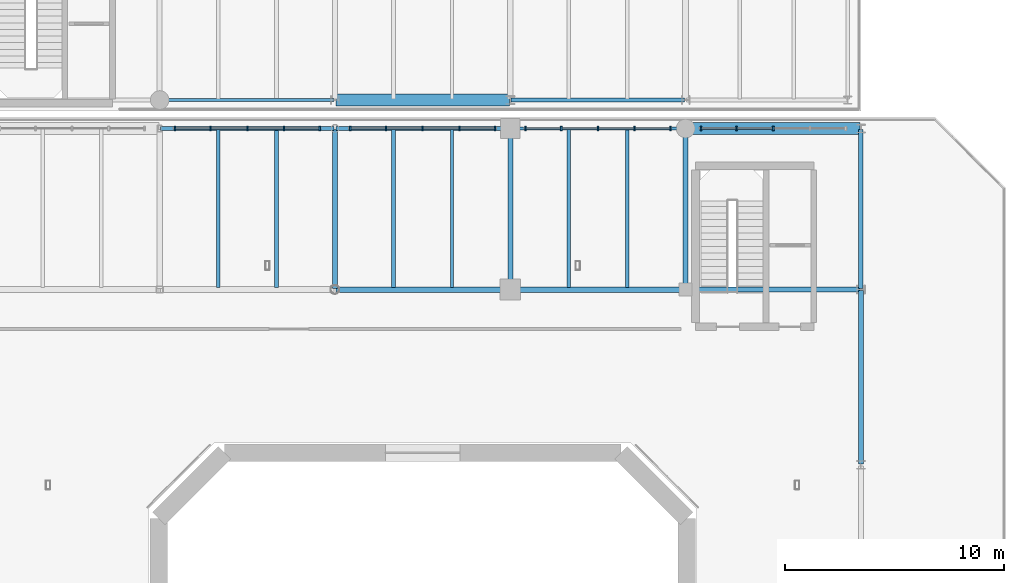
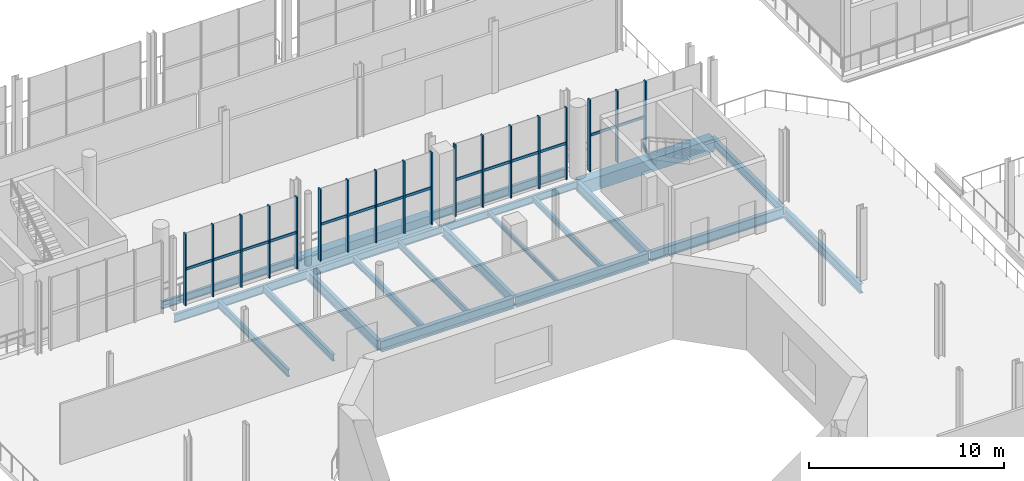
# One storey, part 48 of 93: 32 members, 21 beams, 4 elements without a shape of their own.
"""IFC4 building model written with IfcOpenShell, lengths in metres."""

from ifc_helpers import new_model, si_unit, direction, frame, origin, origin_2d, place, context, subcontext, project, spatial, rectangle, i_section, extrude, material, material_profile, profile_set, type_object, element, aggregate, save


model = new_model("IFC4")

# Units and contexts
model_context = context("Model", 3, precision=1e-05, world=origin(), true_north=direction((0.0, 1.0)))
body_context = subcontext(model_context, "Body", "Model", "MODEL_VIEW")
ifc_project = project(units=[si_unit("LENGTHUNIT", "METRE"), si_unit("AREAUNIT", "SQUARE_METRE"), si_unit("VOLUMEUNIT", "CUBIC_METRE"), si_unit("PLANEANGLEUNIT", "RADIAN"), si_unit("MASSUNIT", "GRAM", prefix="KILO")], contexts=[model_context])

# Site, building, storey
site_placement = place(None, origin())
site = spatial("IfcSite", under=ifc_project, at=site_placement, CompositionType="ELEMENT")
building_placement = place(site_placement, origin())
building = spatial("IfcBuilding", under=site, at=building_placement, Name="Brisemont Oceanarium", CompositionType="ELEMENT")
storey_placement = place(building_placement, frame((0.0, 0.0, 5.39990234375)))
storey = spatial("IfcBuildingStorey", under=building, at=storey_placement, Name="L01", CompositionType="ELEMENT", Elevation=5.39990234375)

# Beams
ifc_material_1 = material(Name="Concrete C40/50", Category="concrete")
ifc_material_profile_1 = material_profile(ifc_material_1, rectangle(XDim=0.550048828125, YDim=0.800048828125, at=origin_2d()), Name="RC-BM-550X800")
ifc_profile_set_1 = profile_set([ifc_material_profile_1], Name="Concrete C40/50")
beam_type_1 = type_object("IfcBeamType", Name="BM-RC550X800", PredefinedType="SPANDREL", material=ifc_profile_set_1)
for number, where, z_axis, x_axis, name in (
    (1, (96.0400390625, 79.35009765625, -0.739990234375), (1.0, 0.0, 0.0), (0.0, 1.0, 0.0), "V1 L01 EW girder"),
    (2, (80.0400390625, 80.64990234375, -0.739990234375), (1.0, 0.0, 0.0), (0.0, 1.0, 0.0), "V7E L01 EW girder"),
):
    element("IfcBeam", number, at=place(storey_placement, frame(where, z_axis=z_axis, x_axis=x_axis)), inside=storey, type_object=beam_type_1, Name=name, PredefinedType="SPANDREL", context=body_context, shape_type="SweptSolid", body=[
        extrude(rectangle(XDim=0.550048828125, YDim=0.800048828125, at=origin_2d()), origin(), (0.0, 0.0, 1.0), 7.919921875),
    ])
ifc_material_2 = material(Name="Structural Steel ASTM A992 Gr.50", Category="steel")
ifc_material_profile_2 = material_profile(ifc_material_2, i_section(OverallWidth=0.14599609375, OverallDepth=0.259033203125, WebThickness=0.006103515625, FlangeThickness=0.009033203125, FilletRadius=0.008056640625, at=origin_2d()), Name="W10X22")
ifc_profile_set_2 = profile_set([ifc_material_profile_2], Name="Structural Steel ASTM A992 Gr.50")
beam_type_2 = type_object("IfcBeamType", Name="BM-W10X22", PredefinedType="LINTEL", material=ifc_profile_set_2)
beam_1_placement = place(storey_placement, frame((90.666748046875, 72.090087890625, -0.469482421875), z_axis=(0.0, 1.0, 0.0), x_axis=(-1.0, 0.0, 0.0)))
element("IfcBeam", 3, at=beam_1_placement, inside=storey, type_object=beam_type_2, Name="V1 L01 secondary floor beam", PredefinedType="LINTEL", context=body_context, shape_type="SweptSolid", body=[
    extrude(i_section(OverallWidth=0.14599609375, OverallDepth=0.259033203125, WebThickness=0.006103515625, FlangeThickness=0.009033203125, FilletRadius=0.008056640625, at=origin_2d()), origin(), (0.0, 0.0, 1.0), 7.219970703125),
])
ifc_material_3 = material(Name="Structural Steel ASTM A992 Gr.50", Category="steel")
ifc_material_profile_3 = material_profile(ifc_material_3, i_section(OverallWidth=0.1708984375, OverallDepth=0.35107421875, WebThickness=0.0068359375, FlangeThickness=0.009765625, FilletRadius=0.010009765625, at=origin_2d()), Name="W14X30")
ifc_profile_set_3 = profile_set([ifc_material_profile_3], Name="Structural Steel ASTM A992 Gr.50")
beam_type_3 = type_object("IfcBeamType", Name="BM-W14X30", PredefinedType="JOIST", material=ifc_profile_set_3)
beam_2_placement = place(storey_placement, frame((93.333251953125, 72.090087890625, -0.515380859375), z_axis=(0.0, 1.0, 0.0), x_axis=(-1.0, 0.0, 0.0)))
element("IfcBeam", 4, at=beam_2_placement, inside=storey, type_object=beam_type_3, Name="V1 L01 secondary floor beam", PredefinedType="JOIST", context=body_context, shape_type="SweptSolid", body=[
    extrude(i_section(OverallWidth=0.1708984375, OverallDepth=0.35107421875, WebThickness=0.0068359375, FlangeThickness=0.009765625, FilletRadius=0.010009765625, at=origin_2d()), origin(), (0.0, 0.0, 1.0), 7.219970703125),
])
ifc_material_4 = material(Name="Structural Steel ASTM A992 Gr.50", Category="steel")
ifc_material_profile_4 = material_profile(ifc_material_4, i_section(OverallWidth=0.139892578125, OverallDepth=0.39892578125, WebThickness=0.00634765625, FlangeThickness=0.0087890625, FilletRadius=0.010009765625, at=origin_2d()), Name="W16X26")
ifc_profile_set_4 = profile_set([ifc_material_profile_4], Name="Structural Steel ASTM A992 Gr.50")
beam_type_4 = type_object("IfcBeamType", Name="BM-W16X26", PredefinedType="JOIST", material=ifc_profile_set_4)
beam_3_placement = place(storey_placement, frame((85.333251953125, 72.090087890625, -0.539306640625), z_axis=(0.0, 1.0, 0.0), x_axis=(-1.0, 0.0, 0.0)))
element("IfcBeam", 5, at=beam_3_placement, inside=storey, type_object=beam_type_4, Name="V1 L01 secondary floor beam", PredefinedType="JOIST", context=body_context, shape_type="SweptSolid", body=[
    extrude(i_section(OverallWidth=0.139892578125, OverallDepth=0.39892578125, WebThickness=0.00634765625, FlangeThickness=0.0087890625, FilletRadius=0.010009765625, at=origin_2d()), origin(), (0.0, 0.0, 1.0), 7.219970703125),
])
ifc_material_5 = material(Name="Structural Steel ASTM A992 Gr.50", Category="steel")
ifc_material_profile_5 = material_profile(ifc_material_5, i_section(OverallWidth=0.177978515625, OverallDepth=0.404052734375, WebThickness=0.007568359375, FlangeThickness=0.010986328125, FilletRadius=0.010009765625, at=origin_2d()), Name="W16X36")
ifc_profile_set_5 = profile_set([ifc_material_profile_5], Name="Structural Steel ASTM A992 Gr.50")
beam_type_5 = type_object("IfcBeamType", Name="BM-W16X36", PredefinedType="JOIST", material=ifc_profile_set_5)
for number, where, z_axis, x_axis, name in (
    (6, (77.333251953125, 72.090087890625, -0.5419921875), (0.0, 1.0, 0.0), (-1.0, 0.0, 0.0), "V1 L01 secondary floor beam"),
    (7, (82.666748046875, 72.090087890625, -0.5419921875), (0.0, 1.0, 0.0), (-1.0, 0.0, 0.0), "V1 L01 secondary floor beam"),
):
    element("IfcBeam", number, at=place(storey_placement, frame(where, z_axis=z_axis, x_axis=x_axis)), inside=storey, type_object=beam_type_5, Name=name, PredefinedType="JOIST", context=body_context, shape_type="SweptSolid", body=[
        extrude(i_section(OverallWidth=0.177978515625, OverallDepth=0.404052734375, WebThickness=0.007568359375, FlangeThickness=0.010986328125, FilletRadius=0.010009765625, at=origin_2d()), origin(), (0.0, 0.0, 1.0), 7.219970703125),
    ])
ifc_material_6 = material(Name="Structural Steel ASTM A992 Gr.50", Category="steel")
ifc_material_profile_6 = material_profile(ifc_material_6, i_section(OverallWidth=0.153076171875, OverallDepth=0.455078125, WebThickness=0.008056640625, FlangeThickness=0.01318359375, FilletRadius=0.010986328125, at=origin_2d()), Name="W18X40")
ifc_profile_set_6 = profile_set([ifc_material_profile_6], Name="Structural Steel ASTM A992 Gr.50")
beam_type_6 = type_object("IfcBeamType", Name="BM-W18X40", PredefinedType="JOIST", material=ifc_profile_set_6)
beam_4_placement = place(storey_placement, frame((74.666748046875, 72.090087890625, -0.5673828125), z_axis=(0.0, 1.0, 0.0), x_axis=(-1.0, 0.0, 0.0)))
element("IfcBeam", 8, at=beam_4_placement, inside=storey, type_object=beam_type_6, Name="V1 L01 secondary floor beam", PredefinedType="JOIST", context=body_context, shape_type="SweptSolid", body=[
    extrude(i_section(OverallWidth=0.153076171875, OverallDepth=0.455078125, WebThickness=0.008056640625, FlangeThickness=0.01318359375, FilletRadius=0.010986328125, at=origin_2d()), origin(), (0.0, 0.0, 1.0), 7.219970703125),
])
ifc_material_7 = material(Name="Structural Steel ASTM A992 Gr.50", Category="steel")
ifc_material_profile_7 = material_profile(ifc_material_7, i_section(OverallWidth=0.154052734375, OverallDepth=0.458984375, WebThickness=0.009033203125, FlangeThickness=0.015380859375, FilletRadius=0.010986328125, at=origin_2d()), Name="W18X46")
ifc_profile_set_7 = profile_set([ifc_material_profile_7], Name="Structural Steel ASTM A992 Gr.50")
beam_type_7 = type_object("IfcBeamType", Name="BM-W18X46", PredefinedType="SPANDREL", material=ifc_profile_set_7)
for number, where, z_axis, x_axis, name in (
    (9, (88.0400390625, 79.35009765625, -0.5693359375), (1.0, 0.0, 0.0), (0.0, 1.0, 0.0), "V1 L01 EW girder"),
    (10, (72.0400390625, 80.64990234375, -0.5693359375), (1.0, 0.0, 0.0), (0.0, 1.0, 0.0), "V7E L01 EW girder"),
):
    element("IfcBeam", number, at=place(storey_placement, frame(where, z_axis=z_axis, x_axis=x_axis)), inside=storey, type_object=beam_type_7, Name=name, PredefinedType="SPANDREL", context=body_context, shape_type="SweptSolid", body=[
        extrude(i_section(OverallWidth=0.154052734375, OverallDepth=0.458984375, WebThickness=0.009033203125, FlangeThickness=0.015380859375, FilletRadius=0.010986328125, at=origin_2d()), origin(), (0.0, 0.0, 1.0), 7.919921875),
    ])
ifc_material_8 = material(Name="Structural Steel ASTM A992 Gr.50", Category="steel")
ifc_material_profile_8 = material_profile(ifc_material_8, i_section(OverallWidth=0.19091796875, OverallDepth=0.4599609375, WebThickness=0.010009765625, FlangeThickness=0.01611328125, FilletRadius=0.010986328125, at=origin_2d()), Name="W18X55")
ifc_profile_set_8 = profile_set([ifc_material_profile_8], Name="Structural Steel ASTM A992 Gr.50")
beam_type_8 = type_object("IfcBeamType", Name="BM-W18X55", PredefinedType="SPANDREL", material=ifc_profile_set_8)
beam_5_placement = place(storey_placement, frame((80.0400390625, 79.35009765625, -0.56982421875), z_axis=(1.0, 0.0, 0.0), x_axis=(0.0, 1.0, 0.0)))
element("IfcBeam", 11, at=beam_5_placement, inside=storey, type_object=beam_type_8, Name="V1 L01 EW girder", PredefinedType="SPANDREL", context=body_context, shape_type="SweptSolid", body=[
    extrude(i_section(OverallWidth=0.19091796875, OverallDepth=0.4599609375, WebThickness=0.010009765625, FlangeThickness=0.01611328125, FilletRadius=0.010986328125, at=origin_2d()), origin(), (0.0, 0.0, 1.0), 7.919921875),
])
ifc_material_9 = material(Name="Structural Steel ASTM A992 Gr.50", Category="steel")
ifc_material_profile_9 = material_profile(ifc_material_9, i_section(OverallWidth=0.166015625, OverallDepth=0.528076171875, WebThickness=0.009765625, FlangeThickness=0.013671875, FilletRadius=0.012939453125, at=origin_2d()), Name="W21X50")
ifc_profile_set_9 = profile_set([ifc_material_profile_9], Name="Structural Steel ASTM A992 Gr.50")
beam_type_9 = type_object("IfcBeamType", Name="BM-W21X50", PredefinedType="SPANDREL", material=ifc_profile_set_9)
for number, where, z_axis, x_axis, name in (
    (12, (72.0400390625, 79.35009765625, -0.60400390625), (1.0, 0.0, 0.0), (0.0, 1.0, 0.0), "V1 L01 EW girder"),
    (13, (88.0400390625, 80.64990234375, -0.60400390625), (1.0, 0.0, 0.0), (0.0, 1.0, 0.0), "V7E L01 EW girder"),
):
    element("IfcBeam", number, at=place(storey_placement, frame(where, z_axis=z_axis, x_axis=x_axis)), inside=storey, type_object=beam_type_9, Name=name, PredefinedType="SPANDREL", context=body_context, shape_type="SweptSolid", body=[
        extrude(i_section(OverallWidth=0.166015625, OverallDepth=0.528076171875, WebThickness=0.009765625, FlangeThickness=0.013671875, FilletRadius=0.012939453125, at=origin_2d()), origin(), (0.0, 0.0, 1.0), 7.919921875),
    ])
ifc_material_10 = material(Name="Structural Steel ASTM A992 Gr.50", Category="steel")
ifc_material_profile_10 = material_profile(ifc_material_10, i_section(OverallWidth=0.2099609375, OverallDepth=0.532958984375, WebThickness=0.01025390625, FlangeThickness=0.015625, FilletRadius=0.012939453125, at=origin_2d()), Name="W21X62")
ifc_profile_set_10 = profile_set([ifc_material_profile_10], Name="Structural Steel ASTM A992 Gr.50")
beam_type_10 = type_object("IfcBeamType", Name="BM-W21X62", PredefinedType="BEAM", material=ifc_profile_set_10)
beam_6_placement = place(storey_placement, frame((104.0, 72.0400390625, -0.6064453125), z_axis=(0.0, 1.0, 0.0), x_axis=(-1.0, 0.0, 0.0)))
element("IfcBeam", 14, at=beam_6_placement, inside=storey, type_object=beam_type_10, Name="V1 L01 NS girder", PredefinedType="BEAM", context=body_context, shape_type="SweptSolid", body=[
    extrude(i_section(OverallWidth=0.2099609375, OverallDepth=0.532958984375, WebThickness=0.01025390625, FlangeThickness=0.015625, FilletRadius=0.012939453125, at=origin_2d()), origin(), (0.0, 0.0, 1.0), 7.27001953125),
])
ifc_material_11 = material(Name="Structural Steel ASTM A992 Gr.50", Category="steel")
ifc_material_profile_11 = material_profile(ifc_material_11, i_section(OverallWidth=0.22802734375, OverallDepth=0.60205078125, WebThickness=0.010498046875, FlangeThickness=0.014892578125, FilletRadius=0.012939453125, at=origin_2d()), Name="W24X68")
ifc_profile_set_11 = profile_set([ifc_material_profile_11], Name="Structural Steel ASTM A992 Gr.50")
beam_type_11 = type_object("IfcBeamType", Name="BM-W24X68", PredefinedType="BEAM", material=ifc_profile_set_11)
beam_7_placement = place(storey_placement, frame((96.0, 72.0400390625, -0.640869140625), z_axis=(0.0, 1.0, 0.0), x_axis=(-1.0, 0.0, 0.0)))
element("IfcBeam", 15, at=beam_7_placement, inside=storey, type_object=beam_type_11, Name="V1 L01 NS girder", PredefinedType="BEAM", context=body_context, shape_type="SweptSolid", body=[
    extrude(i_section(OverallWidth=0.22802734375, OverallDepth=0.60205078125, WebThickness=0.010498046875, FlangeThickness=0.014892578125, FilletRadius=0.012939453125, at=origin_2d()), origin(), (0.0, 0.0, 1.0), 7.27001953125),
])
beam_8_placement = place(storey_placement, frame((104.0, 64.0400390625, -0.640869140625), z_axis=(0.0, 1.0, 0.0), x_axis=(-1.0, 0.0, 0.0)))
element("IfcBeam", 16, at=beam_8_placement, inside=storey, type_object=beam_type_11, Name="V1 L01 NS girder", PredefinedType="BEAM", context=body_context, shape_type="SweptSolid", body=[
    extrude(i_section(OverallWidth=0.22802734375, OverallDepth=0.60205078125, WebThickness=0.010498046875, FlangeThickness=0.014892578125, FilletRadius=0.012939453125, at=origin_2d()), origin(), (0.0, 0.0, 1.0), 7.919921875),
])
ifc_material_12 = material(Name="Structural Steel ASTM A992 Gr.50", Category="steel")
ifc_material_profile_12 = material_profile(ifc_material_12, i_section(OverallWidth=0.22802734375, OverallDepth=0.60791015625, WebThickness=0.01123046875, FlangeThickness=0.017333984375, FilletRadius=0.012939453125, at=origin_2d()), Name="W24X76")
ifc_profile_set_12 = profile_set([ifc_material_profile_12], Name="Structural Steel ASTM A992 Gr.50")
beam_type_12 = type_object("IfcBeamType", Name="BM-W24X76", PredefinedType="BEAM", material=ifc_profile_set_12)
beam_9_placement = place(storey_placement, frame((88.0, 72.0400390625, -0.643798828125), z_axis=(0.0, 1.0, 0.0), x_axis=(-1.0, 0.0, 0.0)))
element("IfcBeam", 17, at=beam_9_placement, inside=storey, type_object=beam_type_12, Name="V1 L01 NS girder", PredefinedType="BEAM", context=body_context, shape_type="SweptSolid", body=[
    extrude(i_section(OverallWidth=0.22802734375, OverallDepth=0.60791015625, WebThickness=0.01123046875, FlangeThickness=0.017333984375, FilletRadius=0.012939453125, at=origin_2d()), origin(), (0.0, 0.0, 1.0), 7.27001953125),
])
ifc_material_13 = material(Name="Structural Steel ASTM A992 Gr.50", Category="steel")
ifc_material_profile_13 = material_profile(ifc_material_13, i_section(OverallWidth=0.22900390625, OverallDepth=0.612060546875, WebThickness=0.011962890625, FlangeThickness=0.01953125, FilletRadius=0.012939453125, at=origin_2d()), Name="W24X84")
ifc_profile_set_13 = profile_set([ifc_material_profile_13], Name="Structural Steel ASTM A992 Gr.50")
beam_type_13 = type_object("IfcBeamType", Name="BM-W24X84", PredefinedType="BEAM", material=ifc_profile_set_13)
beam_10_placement = place(storey_placement, frame((96.0400390625, 72.0, -0.64599609375), z_axis=(1.0, 0.0, 0.0), x_axis=(0.0, 1.0, 0.0)))
element("IfcBeam", 18, at=beam_10_placement, inside=storey, type_object=beam_type_13, Name="V1 L01 EW girder", PredefinedType="BEAM", context=body_context, shape_type="SweptSolid", body=[
    extrude(i_section(OverallWidth=0.22900390625, OverallDepth=0.612060546875, WebThickness=0.011962890625, FlangeThickness=0.01953125, FilletRadius=0.012939453125, at=origin_2d()), origin(), (0.0, 0.0, 1.0), 7.919921875),
])
beam_11_placement = place(storey_placement, frame((80.0, 72.0400390625, -0.64599609375), z_axis=(0.0, 1.0, 0.0), x_axis=(-1.0, 0.0, 0.0)))
element("IfcBeam", 19, at=beam_11_placement, inside=storey, type_object=beam_type_13, Name="V1 L01 NS girder", PredefinedType="BEAM", context=body_context, shape_type="SweptSolid", body=[
    extrude(i_section(OverallWidth=0.22900390625, OverallDepth=0.612060546875, WebThickness=0.011962890625, FlangeThickness=0.01953125, FilletRadius=0.012939453125, at=origin_2d()), origin(), (0.0, 0.0, 1.0), 7.27001953125),
])
ifc_material_14 = material(Name="Structural Steel ASTM A992 Gr.50", Category="steel")
ifc_material_profile_14 = material_profile(ifc_material_14, i_section(OverallWidth=0.2529296875, OverallDepth=0.677978515625, WebThickness=0.01171875, FlangeThickness=0.016357421875, FilletRadius=0.014892578125, at=origin_2d()), Name="W27X84")
ifc_profile_set_14 = profile_set([ifc_material_profile_14], Name="Structural Steel ASTM A992 Gr.50")
beam_type_14 = type_object("IfcBeamType", Name="BM-W27X84", PredefinedType="BEAM", material=ifc_profile_set_14)
beam_12_placement = place(storey_placement, frame((88.0400390625, 72.0, -0.678955078125), z_axis=(1.0, 0.0, 0.0), x_axis=(0.0, 1.0, 0.0)))
element("IfcBeam", 20, at=beam_12_placement, inside=storey, type_object=beam_type_14, Name="V1 L01 EW girder", PredefinedType="BEAM", context=body_context, shape_type="SweptSolid", body=[
    extrude(i_section(OverallWidth=0.2529296875, OverallDepth=0.677978515625, WebThickness=0.01171875, FlangeThickness=0.016357421875, FilletRadius=0.014892578125, at=origin_2d()), origin(), (0.0, 0.0, 1.0), 7.919921875),
])
ifc_material_15 = material(Name="Structural Steel ASTM A992 Gr.50", Category="steel")
ifc_material_profile_15 = material_profile(ifc_material_15, i_section(OverallWidth=0.25390625, OverallDepth=0.68310546875, WebThickness=0.012451171875, FlangeThickness=0.018798828125, FilletRadius=0.014892578125, at=origin_2d()), Name="W27X94")
ifc_profile_set_15 = profile_set([ifc_material_profile_15], Name="Structural Steel ASTM A992 Gr.50")
beam_type_15 = type_object("IfcBeamType", Name="BM-W27X94", PredefinedType="BEAM", material=ifc_profile_set_15)
beam_13_placement = place(storey_placement, frame((80.0400390625, 72.0, -0.681396484375), z_axis=(1.0, 0.0, 0.0), x_axis=(0.0, 1.0, 0.0)))
element("IfcBeam", 21, at=beam_13_placement, inside=storey, type_object=beam_type_15, Name="V1 L01 EW girder", PredefinedType="BEAM", context=body_context, shape_type="SweptSolid", body=[
    extrude(i_section(OverallWidth=0.25390625, OverallDepth=0.68310546875, WebThickness=0.012451171875, FlangeThickness=0.018798828125, FilletRadius=0.014892578125, at=origin_2d()), origin(), (0.0, 0.0, 1.0), 7.919921875),
])

# Curtain wall, members
ifc_material_16 = material(Name="Anodized Extruded Aluminum 6063-T6", Category="aluminium")
curtain_wall_type = type_object("IfcCurtainWallType", Name="CW-ROT-69X44", PredefinedType="NOTDEFINED", material=ifc_material_16)
curtain_wall_1_placement = place(storey_placement, origin())
curtain_wall_1 = element("IfcCurtainWall", 22, at=curtain_wall_1_placement, inside=storey, type_object=curtain_wall_type, Name="CW-03 curtain wall CW-V1-N-L01-02", PredefinedType="NOTDEFINED")
ifc_material_17 = material(Name="Anodized Extruded Aluminum 6063-T6", Category="aluminium")
ifc_material_profile_16 = material_profile(ifc_material_17, rectangle(XDim=0.074951171875, YDim=0.219970703125, at=origin_2d()), Name="CWM-75X220")
ifc_profile_set_16 = profile_set([ifc_material_profile_16], Name="Anodized Extruded Aluminum 6063-T6")
member_type_1 = type_object("IfcMemberType", Name="MEM-CWM-75", PredefinedType="MULLION", material=ifc_profile_set_16)
member_1_placement = place(storey_placement, frame((72.695068359375, 79.35009765625, 0.0), z_axis=(0.0, 0.0, 1.0), x_axis=(1.0, 0.0, 0.0)))
member_1 = element("IfcMember", 23, at=member_1_placement, type_object=member_type_1, Name="CW-V1-N-L01-02 mullion 1", PredefinedType="MULLION", context=body_context, shape_type="SweptSolid", body=[
    extrude(rectangle(XDim=0.074951171875, YDim=0.219970703125, at=origin_2d()), origin(), (0.0, 0.0, 1.0), 4.5),
])
member_2_placement = place(storey_placement, frame((74.324951171875, 79.35009765625, 0.0), z_axis=(0.0, 0.0, 1.0), x_axis=(1.0, 0.0, 0.0)))
member_2 = element("IfcMember", 24, at=member_2_placement, type_object=member_type_1, Name="CW-V1-N-L01-02 mullion 2", PredefinedType="MULLION", context=body_context, shape_type="SweptSolid", body=[
    extrude(rectangle(XDim=0.074951171875, YDim=0.219970703125, at=origin_2d()), origin(), (0.0, 0.0, 1.0), 4.5),
])
member_3_placement = place(storey_placement, frame((76.0, 79.35009765625, 0.0), z_axis=(0.0, 0.0, 1.0), x_axis=(1.0, 0.0, 0.0)))
member_3 = element("IfcMember", 25, at=member_3_placement, type_object=member_type_1, Name="CW-V1-N-L01-02 mullion 3", PredefinedType="MULLION", context=body_context, shape_type="SweptSolid", body=[
    extrude(rectangle(XDim=0.074951171875, YDim=0.219970703125, at=origin_2d()), origin(), (0.0, 0.0, 1.0), 4.5),
])
member_4_placement = place(storey_placement, frame((77.675048828125, 79.35009765625, 0.0), z_axis=(0.0, 0.0, 1.0), x_axis=(1.0, 0.0, 0.0)))
member_4 = element("IfcMember", 26, at=member_4_placement, type_object=member_type_1, Name="CW-V1-N-L01-02 mullion 4", PredefinedType="MULLION", context=body_context, shape_type="SweptSolid", body=[
    extrude(rectangle(XDim=0.074951171875, YDim=0.219970703125, at=origin_2d()), origin(), (0.0, 0.0, 1.0), 4.5),
])
member_5_placement = place(storey_placement, frame((79.304931640625, 79.35009765625, 0.0), z_axis=(0.0, 0.0, 1.0), x_axis=(1.0, 0.0, 0.0)))
member_5 = element("IfcMember", 27, at=member_5_placement, type_object=member_type_1, Name="CW-V1-N-L01-02 mullion 5", PredefinedType="MULLION", context=body_context, shape_type="SweptSolid", body=[
    extrude(rectangle(XDim=0.074951171875, YDim=0.219970703125, at=origin_2d()), origin(), (0.0, 0.0, 1.0), 4.5),
])

curtain_wall_2_placement = place(storey_placement, origin())
curtain_wall_2 = element("IfcCurtainWall", 28, at=curtain_wall_2_placement, inside=storey, type_object=curtain_wall_type, Name="CW-03 curtain wall CW-V1-N-L01-03", PredefinedType="NOTDEFINED")
member_6_placement = place(storey_placement, frame((80.695068359375, 79.35009765625, 0.0), z_axis=(0.0, 0.0, 1.0), x_axis=(1.0, 0.0, 0.0)))
member_6 = element("IfcMember", 29, at=member_6_placement, type_object=member_type_1, Name="CW-V1-N-L01-03 mullion 1", PredefinedType="MULLION", context=body_context, shape_type="SweptSolid", body=[
    extrude(rectangle(XDim=0.074951171875, YDim=0.219970703125, at=origin_2d()), origin(), (0.0, 0.0, 1.0), 4.5),
])
member_7_placement = place(storey_placement, frame((82.324951171875, 79.35009765625, 0.0), z_axis=(0.0, 0.0, 1.0), x_axis=(1.0, 0.0, 0.0)))
member_7 = element("IfcMember", 30, at=member_7_placement, type_object=member_type_1, Name="CW-V1-N-L01-03 mullion 2", PredefinedType="MULLION", context=body_context, shape_type="SweptSolid", body=[
    extrude(rectangle(XDim=0.074951171875, YDim=0.219970703125, at=origin_2d()), origin(), (0.0, 0.0, 1.0), 4.5),
])
member_8_placement = place(storey_placement, frame((84.0, 79.35009765625, 0.0), z_axis=(0.0, 0.0, 1.0), x_axis=(1.0, 0.0, 0.0)))
member_8 = element("IfcMember", 31, at=member_8_placement, type_object=member_type_1, Name="CW-V1-N-L01-03 mullion 3", PredefinedType="MULLION", context=body_context, shape_type="SweptSolid", body=[
    extrude(rectangle(XDim=0.074951171875, YDim=0.219970703125, at=origin_2d()), origin(), (0.0, 0.0, 1.0), 4.5),
])
member_9_placement = place(storey_placement, frame((85.675048828125, 79.35009765625, 0.0), z_axis=(0.0, 0.0, 1.0), x_axis=(1.0, 0.0, 0.0)))
member_9 = element("IfcMember", 32, at=member_9_placement, type_object=member_type_1, Name="CW-V1-N-L01-03 mullion 4", PredefinedType="MULLION", context=body_context, shape_type="SweptSolid", body=[
    extrude(rectangle(XDim=0.074951171875, YDim=0.219970703125, at=origin_2d()), origin(), (0.0, 0.0, 1.0), 4.5),
])
member_10_placement = place(storey_placement, frame((87.304931640625, 79.35009765625, 0.0), z_axis=(0.0, 0.0, 1.0), x_axis=(1.0, 0.0, 0.0)))
member_10 = element("IfcMember", 33, at=member_10_placement, type_object=member_type_1, Name="CW-V1-N-L01-03 mullion 5", PredefinedType="MULLION", context=body_context, shape_type="SweptSolid", body=[
    extrude(rectangle(XDim=0.074951171875, YDim=0.219970703125, at=origin_2d()), origin(), (0.0, 0.0, 1.0), 4.5),
])

curtain_wall_3_placement = place(storey_placement, origin())
curtain_wall_3 = element("IfcCurtainWall", 34, at=curtain_wall_3_placement, inside=storey, type_object=curtain_wall_type, Name="CW-03 curtain wall CW-V1-N-L01-04", PredefinedType="NOTDEFINED")
member_11_placement = place(storey_placement, frame((88.695068359375, 79.35009765625, 0.0), z_axis=(0.0, 0.0, 1.0), x_axis=(1.0, 0.0, 0.0)))
member_11 = element("IfcMember", 35, at=member_11_placement, type_object=member_type_1, Name="CW-V1-N-L01-04 mullion 1", PredefinedType="MULLION", context=body_context, shape_type="SweptSolid", body=[
    extrude(rectangle(XDim=0.074951171875, YDim=0.219970703125, at=origin_2d()), origin(), (0.0, 0.0, 1.0), 4.5),
])
member_12_placement = place(storey_placement, frame((90.324951171875, 79.35009765625, 0.0), z_axis=(0.0, 0.0, 1.0), x_axis=(1.0, 0.0, 0.0)))
member_12 = element("IfcMember", 36, at=member_12_placement, type_object=member_type_1, Name="CW-V1-N-L01-04 mullion 2", PredefinedType="MULLION", context=body_context, shape_type="SweptSolid", body=[
    extrude(rectangle(XDim=0.074951171875, YDim=0.219970703125, at=origin_2d()), origin(), (0.0, 0.0, 1.0), 4.5),
])
member_13_placement = place(storey_placement, frame((92.0, 79.35009765625, 0.0), z_axis=(0.0, 0.0, 1.0), x_axis=(1.0, 0.0, 0.0)))
member_13 = element("IfcMember", 37, at=member_13_placement, type_object=member_type_1, Name="CW-V1-N-L01-04 mullion 3", PredefinedType="MULLION", context=body_context, shape_type="SweptSolid", body=[
    extrude(rectangle(XDim=0.074951171875, YDim=0.219970703125, at=origin_2d()), origin(), (0.0, 0.0, 1.0), 4.5),
])
member_14_placement = place(storey_placement, frame((93.675048828125, 79.35009765625, 0.0), z_axis=(0.0, 0.0, 1.0), x_axis=(1.0, 0.0, 0.0)))
member_14 = element("IfcMember", 38, at=member_14_placement, type_object=member_type_1, Name="CW-V1-N-L01-04 mullion 4", PredefinedType="MULLION", context=body_context, shape_type="SweptSolid", body=[
    extrude(rectangle(XDim=0.074951171875, YDim=0.219970703125, at=origin_2d()), origin(), (0.0, 0.0, 1.0), 4.5),
])
member_15_placement = place(storey_placement, frame((95.304931640625, 79.35009765625, 0.0), z_axis=(0.0, 0.0, 1.0), x_axis=(1.0, 0.0, 0.0)))
member_15 = element("IfcMember", 39, at=member_15_placement, type_object=member_type_1, Name="CW-V1-N-L01-04 mullion 5", PredefinedType="MULLION", context=body_context, shape_type="SweptSolid", body=[
    extrude(rectangle(XDim=0.074951171875, YDim=0.219970703125, at=origin_2d()), origin(), (0.0, 0.0, 1.0), 4.5),
])

curtain_wall_4_placement = place(storey_placement, origin())
curtain_wall_4 = element("IfcCurtainWall", 40, at=curtain_wall_4_placement, inside=storey, type_object=curtain_wall_type, Name="CW-03 curtain wall CW-V1-N-L01-05", PredefinedType="NOTDEFINED")
member_16_placement = place(storey_placement, frame((96.695068359375, 79.35009765625, 0.0), z_axis=(0.0, 0.0, 1.0), x_axis=(1.0, 0.0, 0.0)))
member_16 = element("IfcMember", 41, at=member_16_placement, type_object=member_type_1, Name="CW-V1-N-L01-05 mullion 1", PredefinedType="MULLION", context=body_context, shape_type="SweptSolid", body=[
    extrude(rectangle(XDim=0.074951171875, YDim=0.219970703125, at=origin_2d()), origin(), (0.0, 0.0, 1.0), 4.5),
])
member_17_placement = place(storey_placement, frame((98.324951171875, 79.35009765625, 0.0), z_axis=(0.0, 0.0, 1.0), x_axis=(1.0, 0.0, 0.0)))
member_17 = element("IfcMember", 42, at=member_17_placement, type_object=member_type_1, Name="CW-V1-N-L01-05 mullion 2", PredefinedType="MULLION", context=body_context, shape_type="SweptSolid", body=[
    extrude(rectangle(XDim=0.074951171875, YDim=0.219970703125, at=origin_2d()), origin(), (0.0, 0.0, 1.0), 4.5),
])
member_18_placement = place(storey_placement, frame((100.0, 79.35009765625, 0.0), z_axis=(0.0, 0.0, 1.0), x_axis=(1.0, 0.0, 0.0)))
member_18 = element("IfcMember", 43, at=member_18_placement, type_object=member_type_1, Name="CW-V1-N-L01-05 mullion 3", PredefinedType="MULLION", context=body_context, shape_type="SweptSolid", body=[
    extrude(rectangle(XDim=0.074951171875, YDim=0.219970703125, at=origin_2d()), origin(), (0.0, 0.0, 1.0), 4.5),
])

# Member
ifc_material_18 = material(Name="Anodized Extruded Aluminum 6063-T6", Category="aluminium")
ifc_material_profile_17 = material_profile(ifc_material_18, rectangle(XDim=0.074951171875, YDim=0.1650390625, at=origin_2d()), Name="CWT-75X165")
ifc_profile_set_17 = profile_set([ifc_material_profile_17], Name="Anodized Extruded Aluminum 6063-T6")
member_type_2 = type_object("IfcMemberType", Name="MEM-CWT-75", PredefinedType="USERDEFINED", material=ifc_profile_set_17)
member_19_placement = place(storey_placement, frame((72.6650390625, 79.35009765625, 2.25), z_axis=(1.0, 0.0, 0.0), x_axis=(0.0, 1.0, 0.0)))
member_19 = element("IfcMember", 44, at=member_19_placement, type_object=member_type_2, Name="CW-V1-N-L01-02 transom 1.1", ObjectType="TRANSOM", PredefinedType="USERDEFINED", context=body_context, shape_type="SweptSolid", body=[
    extrude(rectangle(XDim=0.074951171875, YDim=0.1650390625, at=origin_2d()), origin(), (0.0, 0.0, 1.0), 1.64501953125),
])

member_20_placement = place(storey_placement, frame((74.340087890625, 79.35009765625, 2.25), z_axis=(1.0, 0.0, 0.0), x_axis=(0.0, 1.0, 0.0)))
member_20 = element("IfcMember", 45, at=member_20_placement, type_object=member_type_2, Name="CW-V1-N-L01-02 transom 2.1", ObjectType="TRANSOM", PredefinedType="USERDEFINED", context=body_context, shape_type="SweptSolid", body=[
    extrude(rectangle(XDim=0.074951171875, YDim=0.1650390625, at=origin_2d()), origin(), (0.0, 0.0, 1.0), 1.64501953125),
])

member_21_placement = place(storey_placement, frame((76.014892578125, 79.35009765625, 2.25), z_axis=(1.0, 0.0, 0.0), x_axis=(0.0, 1.0, 0.0)))
member_21 = element("IfcMember", 46, at=member_21_placement, type_object=member_type_2, Name="CW-V1-N-L01-02 transom 3.1", ObjectType="TRANSOM", PredefinedType="USERDEFINED", context=body_context, shape_type="SweptSolid", body=[
    extrude(rectangle(XDim=0.074951171875, YDim=0.1650390625, at=origin_2d()), origin(), (0.0, 0.0, 1.0), 1.64501953125),
])

member_22_placement = place(storey_placement, frame((77.68994140625, 79.35009765625, 2.25), z_axis=(1.0, 0.0, 0.0), x_axis=(0.0, 1.0, 0.0)))
member_22 = element("IfcMember", 47, at=member_22_placement, type_object=member_type_2, Name="CW-V1-N-L01-02 transom 4.1", ObjectType="TRANSOM", PredefinedType="USERDEFINED", context=body_context, shape_type="SweptSolid", body=[
    extrude(rectangle(XDim=0.074951171875, YDim=0.1650390625, at=origin_2d()), origin(), (0.0, 0.0, 1.0), 1.64501953125),
])

aggregate(curtain_wall_1, [member_1, member_2, member_3, member_4, member_5, member_19, member_20, member_21, member_22])

member_23_placement = place(storey_placement, frame((80.6650390625, 79.35009765625, 2.25), z_axis=(1.0, 0.0, 0.0), x_axis=(0.0, 1.0, 0.0)))
member_23 = element("IfcMember", 48, at=member_23_placement, type_object=member_type_2, Name="CW-V1-N-L01-03 transom 1.1", ObjectType="TRANSOM", PredefinedType="USERDEFINED", context=body_context, shape_type="SweptSolid", body=[
    extrude(rectangle(XDim=0.074951171875, YDim=0.1650390625, at=origin_2d()), origin(), (0.0, 0.0, 1.0), 1.64501953125),
])

member_24_placement = place(storey_placement, frame((82.340087890625, 79.35009765625, 2.25), z_axis=(1.0, 0.0, 0.0), x_axis=(0.0, 1.0, 0.0)))
member_24 = element("IfcMember", 49, at=member_24_placement, type_object=member_type_2, Name="CW-V1-N-L01-03 transom 2.1", ObjectType="TRANSOM", PredefinedType="USERDEFINED", context=body_context, shape_type="SweptSolid", body=[
    extrude(rectangle(XDim=0.074951171875, YDim=0.1650390625, at=origin_2d()), origin(), (0.0, 0.0, 1.0), 1.64501953125),
])

member_25_placement = place(storey_placement, frame((84.014892578125, 79.35009765625, 2.25), z_axis=(1.0, 0.0, 0.0), x_axis=(0.0, 1.0, 0.0)))
member_25 = element("IfcMember", 50, at=member_25_placement, type_object=member_type_2, Name="CW-V1-N-L01-03 transom 3.1", ObjectType="TRANSOM", PredefinedType="USERDEFINED", context=body_context, shape_type="SweptSolid", body=[
    extrude(rectangle(XDim=0.074951171875, YDim=0.1650390625, at=origin_2d()), origin(), (0.0, 0.0, 1.0), 1.64501953125),
])

member_26_placement = place(storey_placement, frame((85.68994140625, 79.35009765625, 2.25), z_axis=(1.0, 0.0, 0.0), x_axis=(0.0, 1.0, 0.0)))
member_26 = element("IfcMember", 51, at=member_26_placement, type_object=member_type_2, Name="CW-V1-N-L01-03 transom 4.1", ObjectType="TRANSOM", PredefinedType="USERDEFINED", context=body_context, shape_type="SweptSolid", body=[
    extrude(rectangle(XDim=0.074951171875, YDim=0.1650390625, at=origin_2d()), origin(), (0.0, 0.0, 1.0), 1.64501953125),
])

aggregate(curtain_wall_2, [member_6, member_7, member_8, member_9, member_10, member_23, member_24, member_25, member_26])

member_27_placement = place(storey_placement, frame((88.6650390625, 79.35009765625, 2.25), z_axis=(1.0, 0.0, 0.0), x_axis=(0.0, 1.0, 0.0)))
member_27 = element("IfcMember", 52, at=member_27_placement, type_object=member_type_2, Name="CW-V1-N-L01-04 transom 1.1", ObjectType="TRANSOM", PredefinedType="USERDEFINED", context=body_context, shape_type="SweptSolid", body=[
    extrude(rectangle(XDim=0.074951171875, YDim=0.1650390625, at=origin_2d()), origin(), (0.0, 0.0, 1.0), 1.64501953125),
])

member_28_placement = place(storey_placement, frame((90.340087890625, 79.35009765625, 2.25), z_axis=(1.0, 0.0, 0.0), x_axis=(0.0, 1.0, 0.0)))
member_28 = element("IfcMember", 53, at=member_28_placement, type_object=member_type_2, Name="CW-V1-N-L01-04 transom 2.1", ObjectType="TRANSOM", PredefinedType="USERDEFINED", context=body_context, shape_type="SweptSolid", body=[
    extrude(rectangle(XDim=0.074951171875, YDim=0.1650390625, at=origin_2d()), origin(), (0.0, 0.0, 1.0), 1.64501953125),
])

member_29_placement = place(storey_placement, frame((92.014892578125, 79.35009765625, 2.25), z_axis=(1.0, 0.0, 0.0), x_axis=(0.0, 1.0, 0.0)))
member_29 = element("IfcMember", 54, at=member_29_placement, type_object=member_type_2, Name="CW-V1-N-L01-04 transom 3.1", ObjectType="TRANSOM", PredefinedType="USERDEFINED", context=body_context, shape_type="SweptSolid", body=[
    extrude(rectangle(XDim=0.074951171875, YDim=0.1650390625, at=origin_2d()), origin(), (0.0, 0.0, 1.0), 1.64501953125),
])

member_30_placement = place(storey_placement, frame((93.68994140625, 79.35009765625, 2.25), z_axis=(1.0, 0.0, 0.0), x_axis=(0.0, 1.0, 0.0)))
member_30 = element("IfcMember", 55, at=member_30_placement, type_object=member_type_2, Name="CW-V1-N-L01-04 transom 4.1", ObjectType="TRANSOM", PredefinedType="USERDEFINED", context=body_context, shape_type="SweptSolid", body=[
    extrude(rectangle(XDim=0.074951171875, YDim=0.1650390625, at=origin_2d()), origin(), (0.0, 0.0, 1.0), 1.64501953125),
])

aggregate(curtain_wall_3, [member_11, member_12, member_13, member_14, member_15, member_27, member_28, member_29, member_30])

member_31_placement = place(storey_placement, frame((96.6650390625, 79.35009765625, 2.25), z_axis=(1.0, 0.0, 0.0), x_axis=(0.0, 1.0, 0.0)))
member_31 = element("IfcMember", 56, at=member_31_placement, type_object=member_type_2, Name="CW-V1-N-L01-05 transom 1.1", ObjectType="TRANSOM", PredefinedType="USERDEFINED", context=body_context, shape_type="SweptSolid", body=[
    extrude(rectangle(XDim=0.074951171875, YDim=0.1650390625, at=origin_2d()), origin(), (0.0, 0.0, 1.0), 1.64501953125),
])

member_32_placement = place(storey_placement, frame((98.340087890625, 79.35009765625, 2.25), z_axis=(1.0, 0.0, 0.0), x_axis=(0.0, 1.0, 0.0)))
member_32 = element("IfcMember", 57, at=member_32_placement, type_object=member_type_2, Name="CW-V1-N-L01-05 transom 2.1", ObjectType="TRANSOM", PredefinedType="USERDEFINED", context=body_context, shape_type="SweptSolid", body=[
    extrude(rectangle(XDim=0.074951171875, YDim=0.1650390625, at=origin_2d()), origin(), (0.0, 0.0, 1.0), 1.64501953125),
])

aggregate(curtain_wall_4, [member_16, member_17, member_18, member_31, member_32])

save(model, "model.ifc")
